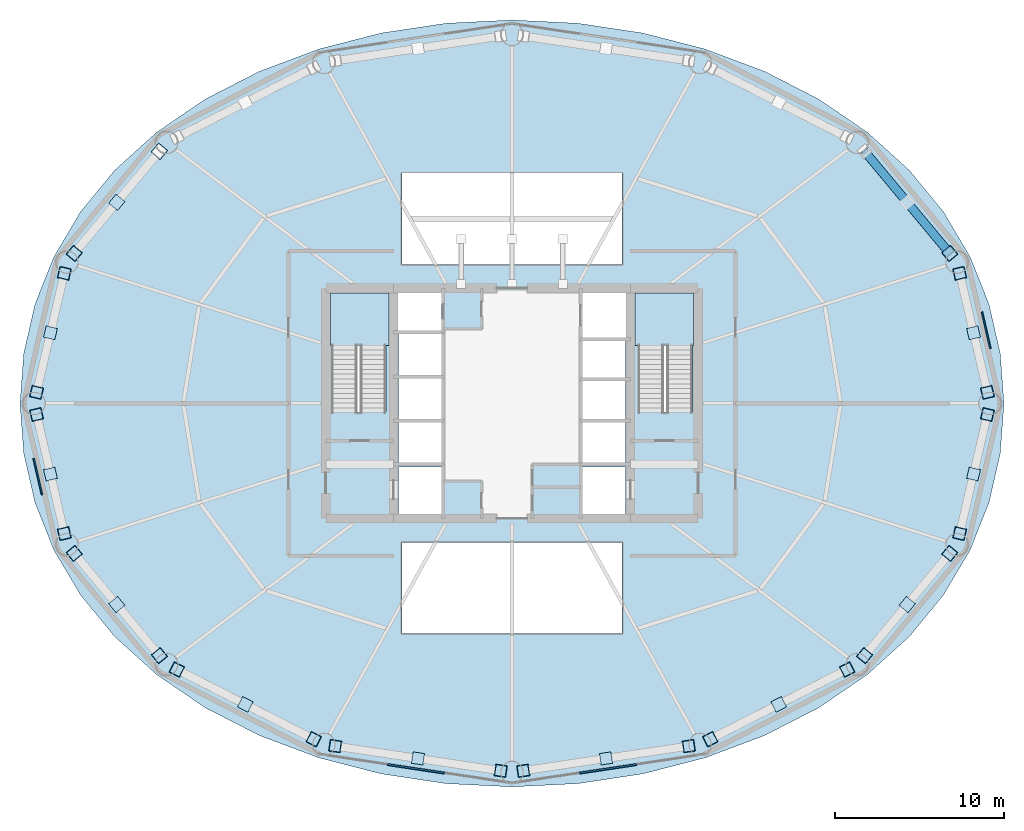
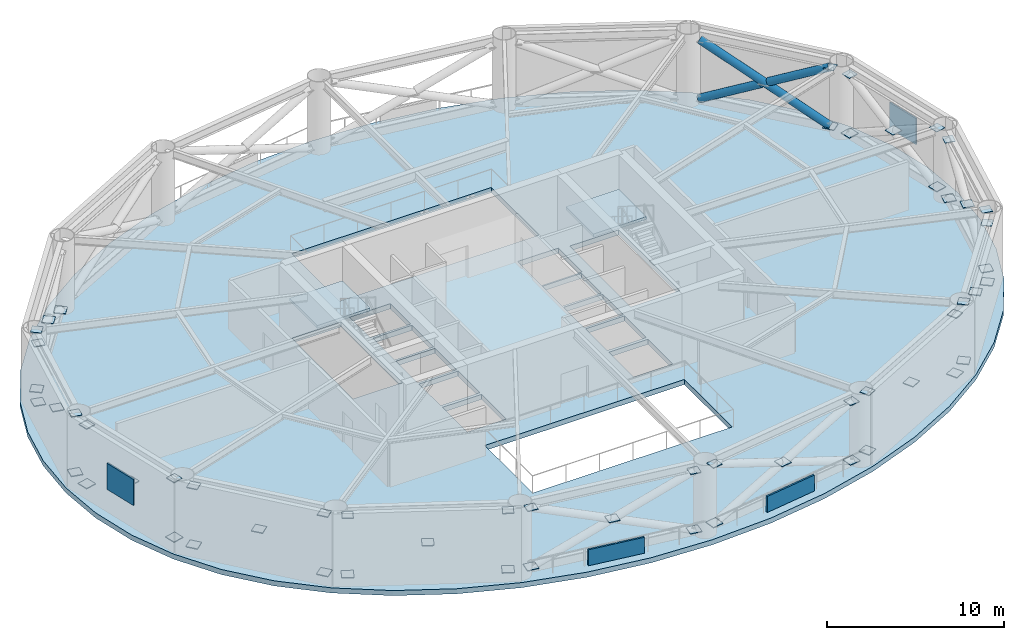
# One storey, part 3 of 7: 60 plates, 3 members, 3 slabs, 2 elements without a shape of their own.
"""IFC4 building model written with IfcOpenShell, lengths in metres."""

from ifc_helpers import new_model, si_unit, direction, frame, origin, origin_2d, place, context, subcontext, project, spatial, polyline, rectangle, hollow_circle, outline, extrude, material, layer, layer_set, material_profile, profile_set, type_object, element, aggregate, save


model = new_model("IFC4")

# Units and contexts
model_context = context("Model", 3, precision=1e-05, world=origin(), true_north=direction((0.0, 1.0)))
body_context = subcontext(model_context, "Body", "Model", "MODEL_VIEW")
ifc_project = project(units=[si_unit("LENGTHUNIT", "METRE"), si_unit("AREAUNIT", "SQUARE_METRE"), si_unit("VOLUMEUNIT", "CUBIC_METRE"), si_unit("PLANEANGLEUNIT", "RADIAN"), si_unit("MASSUNIT", "GRAM", prefix="KILO")], contexts=[model_context])

# Site, building, storey
site_placement = place(None, origin())
site = spatial("IfcSite", under=ifc_project, at=site_placement, CompositionType="ELEMENT")
building_placement = place(site_placement, origin())
building = spatial("IfcBuilding", under=site, at=building_placement, Name="Sarneth Arch Tower", CompositionType="ELEMENT")
storey_placement = place(building_placement, frame((0.0, 0.0, 139.800048828125)))
storey = spatial("IfcBuildingStorey", under=building, at=storey_placement, Name="L35", CompositionType="ELEMENT", Elevation=139.800048828125)

# Members
ifc_material_1 = material(Name="Steel S355", Category="steel")
ifc_material_profile = material_profile(ifc_material_1, hollow_circle(Radius=0.25390625, WallThickness=0.01611328125, at=origin_2d()), Name="CHS508x16")
ifc_profile_set = profile_set([ifc_material_profile], Name="Steel S355")
member_type = type_object("IfcMemberType", Name="MEM-BELT-DIAG2", PredefinedType="BRACE", material=ifc_profile_set)
member_1_placement = place(storey_placement, frame((73.859130859375, 50.861083984375, 0.349853515625), z_axis=(-0.568445844275, 0.682162607588, 0.459916839152), x_axis=(-0.768234015581, -0.640169116175, 0.0)))
element("IfcMember", 1, at=member_1_placement, inside=storey, type_object=member_type, Name="L35 Ring belt continuous diagonal A02", PredefinedType="BRACE", context=body_context, shape_type="SweptSolid", body=[
    extrude(hollow_circle(Radius=0.25390625, WallThickness=0.01611328125, at=origin_2d()), origin(), (0.0, 0.0, 1.0), 8.847412109375),
])
member_2_placement = place(storey_placement, frame((68.829833984375, 56.896484375, 0.349853515625), z_axis=(0.568441611408, -0.682153331163, 0.45993582944), x_axis=(0.768232078638, 0.640171440594, 0.0)))
element("IfcMember", 2, at=member_2_placement, inside=storey, type_object=member_type, Name="L35 Ring belt split diagonal B1-02", PredefinedType="BRACE", context=body_context, shape_type="SweptSolid", body=[
    extrude(hollow_circle(Radius=0.25390625, WallThickness=0.01611328125, at=origin_2d()), origin(), (0.0, 0.0, 1.0), 4.173828125),
])
member_3_placement = place(storey_placement, frame((71.486572265625, 53.708251953125, 2.49951171875), z_axis=(0.568456904031, -0.68217168294, 0.459889707707), x_axis=(0.768232078638, 0.640171440594, 0.0)))
element("IfcMember", 3, at=member_3_placement, inside=storey, type_object=member_type, Name="L35 Ring belt split diagonal B2-02", PredefinedType="BRACE", context=body_context, shape_type="SweptSolid", body=[
    extrude(hollow_circle(Radius=0.25390625, WallThickness=0.01611328125, at=origin_2d()), origin(), (0.0, 0.0, 1.0), 4.173583984375),
])

# Plates
ifc_material_2 = material(Name="Powder-coated Aluminium 6063-T6 stormproof acoustic louvre", Category="aluminium")
ifc_layer_1 = layer(ifc_material_2, 0.094970703125)
ifc_layer_set_1 = layer_set([ifc_layer_1], Name="Powder-coated Aluminium 6063-T6 stormproof acoustic louvre")
plate_type_1 = type_object("IfcPlateType", Name="LOUVRE-PLANT", PredefinedType="SHEET", material=ifc_layer_set_1)
for number, where, z_axis, x_axis, name in (
    (4, (76.001220703125, 46.32568359375, 1.625), (0.0, 0.0, 1.0), (-0.2256312381, 0.974212781888, 0.0), "L35 Mechanical louvre 01"),
    (5, (19.998779296875, 37.67431640625, 1.625), (0.0, 0.0, 1.0), (0.2256312381, -0.974212781888, 0.0), "L35 Mechanical louvre 09"),
):
    element("IfcPlate", number, at=place(storey_placement, frame(where, z_axis=z_axis, x_axis=x_axis)), inside=storey, type_object=plate_type_1, Name=name, PredefinedType="SHEET", context=body_context, shape_type="SweptSolid", body=[
        extrude(rectangle(XDim=2.199951171875, YDim=0.094970703125, at=origin_2d()), origin(), (0.0, 0.0, 1.0), 1.800048828125),
    ])
ifc_material_3 = material(Name="Aerodynamic Aluminium 6063-T6 wind-slot intake louvre", Category="aluminium")
ifc_layer_2 = layer(ifc_material_3, 0.110107421875)
ifc_layer_set_2 = layer_set([ifc_layer_2], Name="Aerodynamic Aluminium 6063-T6 wind-slot intake louvre")
plate_type_2 = type_object("IfcPlateType", Name="LOUVRE-TURBINE", PredefinedType="SHEET", material=ifc_layer_set_2)
for number, where, z_axis, x_axis, name in (
    (6, (42.324462890625, 20.423583984375, 0.0), (0.0, 0.0, 1.0), (0.988886498745, -0.148672433897, 0.0), "L35 Wind-slot aerodynamic intake louvre 12"),
    (7, (53.675537109375, 20.423583984375, 0.0), (0.0, 0.0, 1.0), (0.988886498745, 0.148672433897, 0.0), "L35 Wind-slot aerodynamic intake louvre 13"),
):
    element("IfcPlate", number, at=place(storey_placement, frame(where, z_axis=z_axis, x_axis=x_axis)), inside=storey, type_object=plate_type_2, Name=name, PredefinedType="SHEET", context=body_context, shape_type="SweptSolid", body=[
        extrude(rectangle(XDim=3.39990234375, YDim=0.110107421875, at=origin_2d()), origin(), (0.0, 0.0, 1.0), 1.10009765625),
    ])
ifc_material_4 = material(Name="Steel S355", Category="steel")
ifc_layer_3 = layer(ifc_material_4, 0.035888671875)
ifc_layer_set_3 = layer_set([ifc_layer_3], Name="Steel S355")
plate_type_3 = type_object("IfcPlateType", Name="PLT-GUSSET-30", PredefinedType="SHEET", material=ifc_layer_set_3)
plate_1_placement = place(storey_placement, frame((75.263916015625, 46.171142578125, 2.36669921875), z_axis=(0.0, 0.0, 1.0), x_axis=(-0.227161248969, 0.973857159427, 0.0)))
element("IfcPlate", 8, at=plate_1_placement, inside=storey, type_object=plate_type_3, Name="Steel end cap plate GP-1", PredefinedType="SHEET", context=body_context, shape_type="SweptSolid", body=[
    extrude(rectangle(XDim=0.679931640625, YDim=0.679931640625, at=origin_2d()), origin(), (0.0, 0.0, 1.0), 0.035888671875),
])
for number, where, z_axis, x_axis, name in (
    (9, (76.083251953125, 42.657470703125, 0.33203125), (0.0, 0.0, 1.0), (0.227161248969, -0.973857159427, 0.0), "Steel end cap plate GP-1"),
    (10, (74.444580078125, 49.68505859375, 0.33203125), (0.0, 0.0, 1.0), (-0.227161248969, 0.973857159427, 0.0), "Steel end cap plate GP-1"),
):
    element("IfcPlate", number, at=place(storey_placement, frame(where, z_axis=z_axis, x_axis=x_axis)), inside=storey, type_object=plate_type_3, Name=name, PredefinedType="SHEET", context=body_context, shape_type="SweptSolid", body=[
        extrude(rectangle(XDim=0.699951171875, YDim=0.699951171875, at=origin_2d()), origin(), (0.0, 0.0, 1.0), 0.035888671875),
    ])
for number, where, z_axis, x_axis, name in (
    (11, (76.083251953125, 42.657470703125, 4.40087890625), (0.0, 0.0, 1.0), (0.227161248969, -0.973857159427, 0.0), "Steel end cap plate GP-1"),
    (12, (74.444580078125, 49.68505859375, 4.40087890625), (0.0, 0.0, 1.0), (-0.227161248969, 0.973857159427, 0.0), "Steel end cap plate GP-1"),
):
    element("IfcPlate", number, at=place(storey_placement, frame(where, z_axis=z_axis, x_axis=x_axis)), inside=storey, type_object=plate_type_3, Name=name, PredefinedType="SHEET", context=body_context, shape_type="SweptSolid", body=[
        extrude(rectangle(XDim=0.6298828125, YDim=0.6298828125, at=origin_2d()), origin(), (0.0, 0.0, 1.0), 0.035888671875),
    ])
plate_2_placement = place(storey_placement, frame((73.859130859375, 50.861083984375, 0.33203125), z_axis=(0.0, 0.0, 1.0), x_axis=(0.640109699485, -0.768283523594, 0.0)))
element("IfcPlate", 13, at=plate_2_placement, inside=storey, type_object=plate_type_3, Name="Steel end cap plate GP-1", PredefinedType="SHEET", context=body_context, shape_type="SweptSolid", body=[
    extrude(rectangle(XDim=0.699951171875, YDim=0.699951171875, at=origin_2d()), origin(), (0.0, 0.0, 1.0), 0.035888671875),
])
plate_3_placement = place(storey_placement, frame((73.859130859375, 50.861083984375, 4.40087890625), z_axis=(0.0, 0.0, 1.0), x_axis=(0.640109699485, -0.768283523594, 0.0)))
element("IfcPlate", 14, at=plate_3_placement, inside=storey, type_object=plate_type_3, Name="Steel end cap plate GP-1", PredefinedType="SHEET", context=body_context, shape_type="SweptSolid", body=[
    extrude(rectangle(XDim=0.6298828125, YDim=0.6298828125, at=origin_2d()), origin(), (0.0, 0.0, 1.0), 0.035888671875),
])
plate_4_placement = place(storey_placement, frame((24.655517578125, 53.878662109375, 2.36669921875), z_axis=(0.0, 0.0, 1.0), x_axis=(-0.640109699485, -0.768283523594, 0.0)))
element("IfcPlate", 15, at=plate_4_placement, inside=storey, type_object=plate_type_3, Name="Steel end cap plate GP-1", PredefinedType="SHEET", context=body_context, shape_type="SweptSolid", body=[
    extrude(rectangle(XDim=0.679931640625, YDim=0.679931640625, at=origin_2d()), origin(), (0.0, 0.0, 1.0), 0.035888671875),
])
for number, where, z_axis, x_axis, name in (
    (16, (27.170166015625, 56.896484375, 0.33203125), (0.0, 0.0, 1.0), (0.640109699485, 0.768283523594, 0.0), "Steel end cap plate GP-1"),
    (17, (22.140869140625, 50.861083984375, 0.33203125), (0.0, 0.0, 1.0), (-0.640109699485, -0.768283523594, 0.0), "Steel end cap plate GP-1"),
):
    element("IfcPlate", number, at=place(storey_placement, frame(where, z_axis=z_axis, x_axis=x_axis)), inside=storey, type_object=plate_type_3, Name=name, PredefinedType="SHEET", context=body_context, shape_type="SweptSolid", body=[
        extrude(rectangle(XDim=0.699951171875, YDim=0.699951171875, at=origin_2d()), origin(), (0.0, 0.0, 1.0), 0.035888671875),
    ])
plate_5_placement = place(storey_placement, frame((22.140869140625, 50.861083984375, 4.40087890625), z_axis=(0.0, 0.0, 1.0), x_axis=(-0.640109699485, -0.768283523594, 0.0)))
element("IfcPlate", 18, at=plate_5_placement, inside=storey, type_object=plate_type_3, Name="Steel end cap plate GP-1", PredefinedType="SHEET", context=body_context, shape_type="SweptSolid", body=[
    extrude(rectangle(XDim=0.6298828125, YDim=0.6298828125, at=origin_2d()), origin(), (0.0, 0.0, 1.0), 0.035888671875),
])
plate_6_placement = place(storey_placement, frame((20.736083984375, 46.171142578125, 2.36669921875), z_axis=(0.0, 0.0, 1.0), x_axis=(-0.227161248969, -0.973857159427, 0.0)))
element("IfcPlate", 19, at=plate_6_placement, inside=storey, type_object=plate_type_3, Name="Steel end cap plate GP-1", PredefinedType="SHEET", context=body_context, shape_type="SweptSolid", body=[
    extrude(rectangle(XDim=0.679931640625, YDim=0.679931640625, at=origin_2d()), origin(), (0.0, 0.0, 1.0), 0.035888671875),
])
for number, where, z_axis, x_axis, name in (
    (20, (21.555419921875, 49.68505859375, 0.33203125), (0.0, 0.0, 1.0), (0.227161248969, 0.973857159427, 0.0), "Steel end cap plate GP-1"),
    (21, (19.916748046875, 42.657470703125, 0.33203125), (0.0, 0.0, 1.0), (-0.227161248969, -0.973857159427, 0.0), "Steel end cap plate GP-1"),
):
    element("IfcPlate", number, at=place(storey_placement, frame(where, z_axis=z_axis, x_axis=x_axis)), inside=storey, type_object=plate_type_3, Name=name, PredefinedType="SHEET", context=body_context, shape_type="SweptSolid", body=[
        extrude(rectangle(XDim=0.699951171875, YDim=0.699951171875, at=origin_2d()), origin(), (0.0, 0.0, 1.0), 0.035888671875),
    ])
for number, where, z_axis, x_axis, name in (
    (22, (21.555419921875, 49.68505859375, 4.40087890625), (0.0, 0.0, 1.0), (0.227161248969, 0.973857159427, 0.0), "Steel end cap plate GP-1"),
    (23, (19.916748046875, 42.657470703125, 4.40087890625), (0.0, 0.0, 1.0), (-0.227161248969, -0.973857159427, 0.0), "Steel end cap plate GP-1"),
):
    element("IfcPlate", number, at=place(storey_placement, frame(where, z_axis=z_axis, x_axis=x_axis)), inside=storey, type_object=plate_type_3, Name=name, PredefinedType="SHEET", context=body_context, shape_type="SweptSolid", body=[
        extrude(rectangle(XDim=0.6298828125, YDim=0.6298828125, at=origin_2d()), origin(), (0.0, 0.0, 1.0), 0.035888671875),
    ])
plate_7_placement = place(storey_placement, frame((20.736083984375, 37.828857421875, 2.36669921875), z_axis=(0.0, 0.0, 1.0), x_axis=(0.227161248969, -0.973857159427, 0.0)))
element("IfcPlate", 24, at=plate_7_placement, inside=storey, type_object=plate_type_3, Name="Steel end cap plate GP-1", PredefinedType="SHEET", context=body_context, shape_type="SweptSolid", body=[
    extrude(rectangle(XDim=0.679931640625, YDim=0.679931640625, at=origin_2d()), origin(), (0.0, 0.0, 1.0), 0.035888671875),
])
for number, where, z_axis, x_axis, name in (
    (25, (19.916748046875, 41.342529296875, 0.33203125), (0.0, 0.0, 1.0), (-0.227161248969, 0.973857159427, 0.0), "Steel end cap plate GP-1"),
    (26, (21.555419921875, 34.31494140625, 0.33203125), (0.0, 0.0, 1.0), (0.227161248969, -0.973857159427, 0.0), "Steel end cap plate GP-1"),
):
    element("IfcPlate", number, at=place(storey_placement, frame(where, z_axis=z_axis, x_axis=x_axis)), inside=storey, type_object=plate_type_3, Name=name, PredefinedType="SHEET", context=body_context, shape_type="SweptSolid", body=[
        extrude(rectangle(XDim=0.699951171875, YDim=0.699951171875, at=origin_2d()), origin(), (0.0, 0.0, 1.0), 0.035888671875),
    ])
for number, where, z_axis, x_axis, name in (
    (27, (19.916748046875, 41.342529296875, 4.40087890625), (0.0, 0.0, 1.0), (-0.227161248969, 0.973857159427, 0.0), "Steel end cap plate GP-1"),
    (28, (21.555419921875, 34.31494140625, 4.40087890625), (0.0, 0.0, 1.0), (0.227161248969, -0.973857159427, 0.0), "Steel end cap plate GP-1"),
):
    element("IfcPlate", number, at=place(storey_placement, frame(where, z_axis=z_axis, x_axis=x_axis)), inside=storey, type_object=plate_type_3, Name=name, PredefinedType="SHEET", context=body_context, shape_type="SweptSolid", body=[
        extrude(rectangle(XDim=0.6298828125, YDim=0.6298828125, at=origin_2d()), origin(), (0.0, 0.0, 1.0), 0.035888671875),
    ])
plate_8_placement = place(storey_placement, frame((24.655517578125, 30.121337890625, 2.36669921875), z_axis=(0.0, 0.0, 1.0), x_axis=(0.640109699485, -0.768283523594, 0.0)))
element("IfcPlate", 29, at=plate_8_placement, inside=storey, type_object=plate_type_3, Name="Steel end cap plate GP-1", PredefinedType="SHEET", context=body_context, shape_type="SweptSolid", body=[
    extrude(rectangle(XDim=0.679931640625, YDim=0.679931640625, at=origin_2d()), origin(), (0.0, 0.0, 1.0), 0.035888671875),
])
for number, where, z_axis, x_axis, name in (
    (30, (22.140869140625, 33.138916015625, 0.33203125), (0.0, 0.0, 1.0), (-0.640109699485, 0.768283523594, 0.0), "Steel end cap plate GP-1"),
    (31, (27.170166015625, 27.103515625, 0.33203125), (0.0, 0.0, 1.0), (0.640109699485, -0.768283523594, 0.0), "Steel end cap plate GP-1"),
):
    element("IfcPlate", number, at=place(storey_placement, frame(where, z_axis=z_axis, x_axis=x_axis)), inside=storey, type_object=plate_type_3, Name=name, PredefinedType="SHEET", context=body_context, shape_type="SweptSolid", body=[
        extrude(rectangle(XDim=0.699951171875, YDim=0.699951171875, at=origin_2d()), origin(), (0.0, 0.0, 1.0), 0.035888671875),
    ])
for number, where, z_axis, x_axis, name in (
    (32, (22.140869140625, 33.138916015625, 4.40087890625), (0.0, 0.0, 1.0), (-0.640109699485, 0.768283523594, 0.0), "Steel end cap plate GP-1"),
    (33, (27.170166015625, 27.103515625, 4.40087890625), (0.0, 0.0, 1.0), (0.640109699485, -0.768283523594, 0.0), "Steel end cap plate GP-1"),
):
    element("IfcPlate", number, at=place(storey_placement, frame(where, z_axis=z_axis, x_axis=x_axis)), inside=storey, type_object=plate_type_3, Name=name, PredefinedType="SHEET", context=body_context, shape_type="SweptSolid", body=[
        extrude(rectangle(XDim=0.6298828125, YDim=0.6298828125, at=origin_2d()), origin(), (0.0, 0.0, 1.0), 0.035888671875),
    ])
plate_9_placement = place(storey_placement, frame((32.24609375, 24.22216796875, 2.36669921875), z_axis=(0.0, 0.0, 1.0), x_axis=(0.89124411091, -0.453523907604, 0.0)))
element("IfcPlate", 34, at=plate_9_placement, inside=storey, type_object=plate_type_3, Name="Steel end cap plate GP-1", PredefinedType="SHEET", context=body_context, shape_type="SweptSolid", body=[
    extrude(rectangle(XDim=0.679931640625, YDim=0.679931640625, at=origin_2d()), origin(), (0.0, 0.0, 1.0), 0.035888671875),
])
for number, where, z_axis, x_axis, name in (
    (35, (28.203857421875, 26.279052734375, 0.33203125), (0.0, 0.0, 1.0), (-0.89124411091, 0.453523907604, 0.0), "Steel end cap plate GP-1"),
    (36, (36.2880859375, 22.16552734375, 0.33203125), (0.0, 0.0, 1.0), (0.89124411091, -0.453523907604, 0.0), "Steel end cap plate GP-1"),
):
    element("IfcPlate", number, at=place(storey_placement, frame(where, z_axis=z_axis, x_axis=x_axis)), inside=storey, type_object=plate_type_3, Name=name, PredefinedType="SHEET", context=body_context, shape_type="SweptSolid", body=[
        extrude(rectangle(XDim=0.699951171875, YDim=0.699951171875, at=origin_2d()), origin(), (0.0, 0.0, 1.0), 0.035888671875),
    ])
for number, where, z_axis, x_axis, name in (
    (37, (28.203857421875, 26.279052734375, 4.40087890625), (0.0, 0.0, 1.0), (-0.89124411091, 0.453523907604, 0.0), "Steel end cap plate GP-1"),
    (38, (36.2880859375, 22.16552734375, 4.40087890625), (0.0, 0.0, 1.0), (0.89124411091, -0.453523907604, 0.0), "Steel end cap plate GP-1"),
):
    element("IfcPlate", number, at=place(storey_placement, frame(where, z_axis=z_axis, x_axis=x_axis)), inside=storey, type_object=plate_type_3, Name=name, PredefinedType="SHEET", context=body_context, shape_type="SweptSolid", body=[
        extrude(rectangle(XDim=0.6298828125, YDim=0.6298828125, at=origin_2d()), origin(), (0.0, 0.0, 1.0), 0.035888671875),
    ])
plate_10_placement = place(storey_placement, frame((42.44482421875, 21.02978515625, 2.36669921875), z_axis=(0.0, 0.0, 1.0), x_axis=(0.989041645907, -0.147636793048, 0.0)))
element("IfcPlate", 39, at=plate_10_placement, inside=storey, type_object=plate_type_3, Name="Steel end cap plate GP-1", PredefinedType="SHEET", context=body_context, shape_type="SweptSolid", body=[
    extrude(rectangle(XDim=0.679931640625, YDim=0.679931640625, at=origin_2d()), origin(), (0.0, 0.0, 1.0), 0.035888671875),
])
for number, where, z_axis, x_axis, name in (
    (40, (37.557373046875, 21.759765625, 0.33203125), (0.0, 0.0, 1.0), (-0.989041645907, 0.147636793048, 0.0), "Steel end cap plate GP-1"),
    (41, (47.33251953125, 20.2998046875, 0.33203125), (0.0, 0.0, 1.0), (0.989041645907, -0.147636793048, 0.0), "Steel end cap plate GP-1"),
):
    element("IfcPlate", number, at=place(storey_placement, frame(where, z_axis=z_axis, x_axis=x_axis)), inside=storey, type_object=plate_type_3, Name=name, PredefinedType="SHEET", context=body_context, shape_type="SweptSolid", body=[
        extrude(rectangle(XDim=0.699951171875, YDim=0.699951171875, at=origin_2d()), origin(), (0.0, 0.0, 1.0), 0.035888671875),
    ])
for number, where, z_axis, x_axis, name in (
    (42, (37.557373046875, 21.759765625, 4.40087890625), (0.0, 0.0, 1.0), (-0.989041645907, 0.147636793048, 0.0), "Steel end cap plate GP-1"),
    (43, (47.33251953125, 20.2998046875, 4.40087890625), (0.0, 0.0, 1.0), (0.989041645907, -0.147636793048, 0.0), "Steel end cap plate GP-1"),
):
    element("IfcPlate", number, at=place(storey_placement, frame(where, z_axis=z_axis, x_axis=x_axis)), inside=storey, type_object=plate_type_3, Name=name, PredefinedType="SHEET", context=body_context, shape_type="SweptSolid", body=[
        extrude(rectangle(XDim=0.6298828125, YDim=0.6298828125, at=origin_2d()), origin(), (0.0, 0.0, 1.0), 0.035888671875),
    ])
plate_11_placement = place(storey_placement, frame((53.55517578125, 21.02978515625, 2.36669921875), z_axis=(0.0, 0.0, 1.0), x_axis=(0.989041645907, 0.147636793048, 0.0)))
element("IfcPlate", 44, at=plate_11_placement, inside=storey, type_object=plate_type_3, Name="Steel end cap plate GP-1", PredefinedType="SHEET", context=body_context, shape_type="SweptSolid", body=[
    extrude(rectangle(XDim=0.679931640625, YDim=0.679931640625, at=origin_2d()), origin(), (0.0, 0.0, 1.0), 0.035888671875),
])
for number, where, z_axis, x_axis, name in (
    (45, (48.66748046875, 20.2998046875, 0.33203125), (0.0, 0.0, 1.0), (-0.989041645907, -0.147636793048, 0.0), "Steel end cap plate GP-1"),
    (46, (58.442626953125, 21.759765625, 0.33203125), (0.0, 0.0, 1.0), (0.989041645907, 0.147636793048, 0.0), "Steel end cap plate GP-1"),
):
    element("IfcPlate", number, at=place(storey_placement, frame(where, z_axis=z_axis, x_axis=x_axis)), inside=storey, type_object=plate_type_3, Name=name, PredefinedType="SHEET", context=body_context, shape_type="SweptSolid", body=[
        extrude(rectangle(XDim=0.699951171875, YDim=0.699951171875, at=origin_2d()), origin(), (0.0, 0.0, 1.0), 0.035888671875),
    ])
for number, where, z_axis, x_axis, name in (
    (47, (48.66748046875, 20.2998046875, 4.40087890625), (0.0, 0.0, 1.0), (-0.989041645907, -0.147636793048, 0.0), "Steel end cap plate GP-1"),
    (48, (58.442626953125, 21.759765625, 4.40087890625), (0.0, 0.0, 1.0), (0.989041645907, 0.147636793048, 0.0), "Steel end cap plate GP-1"),
):
    element("IfcPlate", number, at=place(storey_placement, frame(where, z_axis=z_axis, x_axis=x_axis)), inside=storey, type_object=plate_type_3, Name=name, PredefinedType="SHEET", context=body_context, shape_type="SweptSolid", body=[
        extrude(rectangle(XDim=0.6298828125, YDim=0.6298828125, at=origin_2d()), origin(), (0.0, 0.0, 1.0), 0.035888671875),
    ])
plate_12_placement = place(storey_placement, frame((63.75390625, 24.22216796875, 2.36669921875), z_axis=(0.0, 0.0, 1.0), x_axis=(0.89124411091, 0.453523907604, 0.0)))
element("IfcPlate", 49, at=plate_12_placement, inside=storey, type_object=plate_type_3, Name="Steel end cap plate GP-1", PredefinedType="SHEET", context=body_context, shape_type="SweptSolid", body=[
    extrude(rectangle(XDim=0.679931640625, YDim=0.679931640625, at=origin_2d()), origin(), (0.0, 0.0, 1.0), 0.035888671875),
])
for number, where, z_axis, x_axis, name in (
    (50, (59.7119140625, 22.16552734375, 0.33203125), (0.0, 0.0, 1.0), (-0.89124411091, -0.453523907604, 0.0), "Steel end cap plate GP-1"),
    (51, (67.796142578125, 26.279052734375, 0.33203125), (0.0, 0.0, 1.0), (0.89124411091, 0.453523907604, 0.0), "Steel end cap plate GP-1"),
):
    element("IfcPlate", number, at=place(storey_placement, frame(where, z_axis=z_axis, x_axis=x_axis)), inside=storey, type_object=plate_type_3, Name=name, PredefinedType="SHEET", context=body_context, shape_type="SweptSolid", body=[
        extrude(rectangle(XDim=0.699951171875, YDim=0.699951171875, at=origin_2d()), origin(), (0.0, 0.0, 1.0), 0.035888671875),
    ])
for number, where, z_axis, x_axis, name in (
    (52, (59.7119140625, 22.16552734375, 4.40087890625), (0.0, 0.0, 1.0), (-0.89124411091, -0.453523907604, 0.0), "Steel end cap plate GP-1"),
    (53, (67.796142578125, 26.279052734375, 4.40087890625), (0.0, 0.0, 1.0), (0.89124411091, 0.453523907604, 0.0), "Steel end cap plate GP-1"),
):
    element("IfcPlate", number, at=place(storey_placement, frame(where, z_axis=z_axis, x_axis=x_axis)), inside=storey, type_object=plate_type_3, Name=name, PredefinedType="SHEET", context=body_context, shape_type="SweptSolid", body=[
        extrude(rectangle(XDim=0.6298828125, YDim=0.6298828125, at=origin_2d()), origin(), (0.0, 0.0, 1.0), 0.035888671875),
    ])
plate_13_placement = place(storey_placement, frame((71.344482421875, 30.121337890625, 2.36669921875), z_axis=(0.0, 0.0, 1.0), x_axis=(0.640109699485, 0.768283523594, 0.0)))
element("IfcPlate", 54, at=plate_13_placement, inside=storey, type_object=plate_type_3, Name="Steel end cap plate GP-1", PredefinedType="SHEET", context=body_context, shape_type="SweptSolid", body=[
    extrude(rectangle(XDim=0.679931640625, YDim=0.679931640625, at=origin_2d()), origin(), (0.0, 0.0, 1.0), 0.035888671875),
])
for number, where, z_axis, x_axis, name in (
    (55, (68.829833984375, 27.103515625, 0.33203125), (0.0, 0.0, 1.0), (-0.640109699485, -0.768283523594, 0.0), "Steel end cap plate GP-1"),
    (56, (73.859130859375, 33.138916015625, 0.33203125), (0.0, 0.0, 1.0), (0.640109699485, 0.768283523594, 0.0), "Steel end cap plate GP-1"),
):
    element("IfcPlate", number, at=place(storey_placement, frame(where, z_axis=z_axis, x_axis=x_axis)), inside=storey, type_object=plate_type_3, Name=name, PredefinedType="SHEET", context=body_context, shape_type="SweptSolid", body=[
        extrude(rectangle(XDim=0.699951171875, YDim=0.699951171875, at=origin_2d()), origin(), (0.0, 0.0, 1.0), 0.035888671875),
    ])
for number, where, z_axis, x_axis, name in (
    (57, (68.829833984375, 27.103515625, 4.40087890625), (0.0, 0.0, 1.0), (-0.640109699485, -0.768283523594, 0.0), "Steel end cap plate GP-1"),
    (58, (73.859130859375, 33.138916015625, 4.40087890625), (0.0, 0.0, 1.0), (0.640109699485, 0.768283523594, 0.0), "Steel end cap plate GP-1"),
):
    element("IfcPlate", number, at=place(storey_placement, frame(where, z_axis=z_axis, x_axis=x_axis)), inside=storey, type_object=plate_type_3, Name=name, PredefinedType="SHEET", context=body_context, shape_type="SweptSolid", body=[
        extrude(rectangle(XDim=0.6298828125, YDim=0.6298828125, at=origin_2d()), origin(), (0.0, 0.0, 1.0), 0.035888671875),
    ])
plate_14_placement = place(storey_placement, frame((75.263916015625, 37.828857421875, 2.36669921875), z_axis=(0.0, 0.0, 1.0), x_axis=(0.227161248969, 0.973857159427, 0.0)))
element("IfcPlate", 59, at=plate_14_placement, inside=storey, type_object=plate_type_3, Name="Steel end cap plate GP-1", PredefinedType="SHEET", context=body_context, shape_type="SweptSolid", body=[
    extrude(rectangle(XDim=0.679931640625, YDim=0.679931640625, at=origin_2d()), origin(), (0.0, 0.0, 1.0), 0.035888671875),
])
for number, where, z_axis, x_axis, name in (
    (60, (74.444580078125, 34.31494140625, 0.33203125), (0.0, 0.0, 1.0), (-0.227161248969, -0.973857159427, 0.0), "Steel end cap plate GP-1"),
    (61, (76.083251953125, 41.342529296875, 0.33203125), (0.0, 0.0, 1.0), (0.227161248969, 0.973857159427, 0.0), "Steel end cap plate GP-1"),
):
    element("IfcPlate", number, at=place(storey_placement, frame(where, z_axis=z_axis, x_axis=x_axis)), inside=storey, type_object=plate_type_3, Name=name, PredefinedType="SHEET", context=body_context, shape_type="SweptSolid", body=[
        extrude(rectangle(XDim=0.699951171875, YDim=0.699951171875, at=origin_2d()), origin(), (0.0, 0.0, 1.0), 0.035888671875),
    ])
for number, where, z_axis, x_axis, name in (
    (62, (74.444580078125, 34.31494140625, 4.40087890625), (0.0, 0.0, 1.0), (-0.227161248969, -0.973857159427, 0.0), "Steel end cap plate GP-1"),
    (63, (76.083251953125, 41.342529296875, 4.40087890625), (0.0, 0.0, 1.0), (0.227161248969, 0.973857159427, 0.0), "Steel end cap plate GP-1"),
):
    element("IfcPlate", number, at=place(storey_placement, frame(where, z_axis=z_axis, x_axis=x_axis)), inside=storey, type_object=plate_type_3, Name=name, PredefinedType="SHEET", context=body_context, shape_type="SweptSolid", body=[
        extrude(rectangle(XDim=0.6298828125, YDim=0.6298828125, at=origin_2d()), origin(), (0.0, 0.0, 1.0), 0.035888671875),
    ])

# Stair, slab
ifc_material_5 = material(Name="Concrete C50/60", Category="concrete")
stair_type = type_object("IfcStairType", Name="STAIR-CORE-RC", PredefinedType="HALF_TURN_STAIR", material=ifc_material_5)
stair_1_placement = place(storey_placement, origin())
stair_1 = element("IfcStair", 64, at=stair_1_placement, inside=storey, type_object=stair_type, Name="L35 Core Exit Stair 1", PredefinedType="HALF_TURN_STAIR")
ifc_material_6 = material(Name="Concrete C50/60", Category="concrete")
ifc_layer_4 = layer(ifc_material_6, 0.199951171875)
ifc_layer_set_4 = layer_set([ifc_layer_4], Name="Concrete C50/60")
slab_type_1 = type_object("IfcSlabType", Name="SLAB-LANDING-200", PredefinedType="LANDING", material=ifc_layer_set_4)
slab_1_placement = place(storey_placement, frame((0.0, 0.0, 2.5)))
slab_1 = element("IfcSlab", 65, at=slab_1_placement, type_object=slab_type_1, Name="ST-1 landing 1", PredefinedType="LANDING", context=body_context, shape_type="SweptSolid", body=[
    extrude(outline(polyline([(37.27490234375, 45.409912109375), (40.72509765625, 45.409912109375), (40.72509765625, 48.52490234375), (37.27490234375, 48.52490234375), (37.27490234375, 45.409912109375)])), origin(), (0.0, 0.0, 1.0), 0.199951171875),
])
aggregate(stair_1, [slab_1])

stair_2_placement = place(storey_placement, origin())
stair_2 = element("IfcStair", 66, at=stair_2_placement, inside=storey, type_object=stair_type, Name="L35 Core Exit Stair 2", PredefinedType="HALF_TURN_STAIR")
slab_2_placement = place(storey_placement, frame((0.0, 0.0, 2.5)))
slab_2 = element("IfcSlab", 67, at=slab_2_placement, type_object=slab_type_1, Name="ST-2 landing 1", PredefinedType="LANDING", context=body_context, shape_type="SweptSolid", body=[
    extrude(outline(polyline([(55.27490234375, 45.409912109375), (58.72509765625, 45.409912109375), (58.72509765625, 48.52490234375), (55.27490234375, 48.52490234375), (55.27490234375, 45.409912109375)])), origin(), (0.0, 0.0, 1.0), 0.199951171875),
])
aggregate(stair_2, [slab_2])

# Slab
ifc_material_7 = material(Name="Concrete C60/75", Category="concrete")
ifc_layer_5 = layer(ifc_material_7, 0.35009765625)
ifc_layer_set_5 = layer_set([ifc_layer_5], Name="Concrete C60/75")
slab_type_2 = type_object("IfcSlabType", Name="SLAB-XFER-350", PredefinedType="FLOOR", material=ifc_layer_set_5)
slab_3_placement = place(storey_placement, frame((0.0, 0.0, -0.35009765625)))
element("IfcSlab", 68, at=slab_3_placement, inside=storey, type_object=slab_type_2, Name="L35 Elliptical floor slab", PredefinedType="FLOOR", context=body_context, shape_type="SweptSolid", body=[
    extrude(outline(polyline([(77.062744140625, 42.0), (76.84228515625, 44.956298828125), (76.17724609375, 47.8623046875), (75.060546875, 50.667724609375), (73.486328125, 53.324951171875), (71.458251953125, 55.788330078125), (68.994384765625, 58.015869140625), (66.132080078125, 59.969482421875), (62.923828125, 61.615478515625), (59.435302734375, 62.92578125), (55.73779296875, 63.878173828125), (51.902587890625, 64.456298828125), (48.0, 64.64990234375), (44.097412109375, 64.456298828125), (40.26220703125, 63.878173828125), (36.564697265625, 62.92578125), (33.076171875, 61.615478515625), (29.867919921875, 59.969482421875), (27.005615234375, 58.015869140625), (24.541748046875, 55.788330078125), (22.513671875, 53.324951171875), (20.939453125, 50.667724609375), (19.82275390625, 47.8623046875), (19.15771484375, 44.956298828125), (18.937255859375, 42.0), (19.15771484375, 39.043701171875), (19.82275390625, 36.1376953125), (20.939453125, 33.332275390625), (22.513671875, 30.675048828125), (24.541748046875, 28.211669921875), (27.005615234375, 25.984130859375), (29.867919921875, 24.030517578125), (33.076171875, 22.384521484375), (36.564697265625, 21.07421875), (40.26220703125, 20.121826171875), (44.097412109375, 19.543701171875), (48.0, 19.35009765625), (51.902587890625, 19.543701171875), (55.73779296875, 20.121826171875), (59.435302734375, 21.07421875), (62.923828125, 22.384521484375), (66.132080078125, 24.030517578125), (68.994384765625, 25.984130859375), (71.458251953125, 28.211669921875), (73.486328125, 30.675048828125), (75.060546875, 33.332275390625), (76.17724609375, 36.1376953125), (76.84228515625, 39.043701171875), (77.062744140625, 42.0)]), holes=[polyline([(37.35009765625, 41.489990234375), (40.550048828125, 41.489990234375), (40.550048828125, 48.39990234375), (37.35009765625, 48.39990234375), (37.35009765625, 41.489990234375)]), polyline([(55.449951171875, 41.489990234375), (58.64990234375, 41.489990234375), (58.64990234375, 48.39990234375), (55.449951171875, 48.39990234375), (55.449951171875, 41.489990234375)]), polyline([(41.199951171875, 46.25), (43.85009765625, 46.25), (43.85009765625, 48.550048828125), (41.199951171875, 48.550048828125), (41.199951171875, 46.25)]), polyline([(41.300048828125, 35.449951171875), (43.85009765625, 35.449951171875), (43.85009765625, 38.25), (41.300048828125, 38.25), (41.300048828125, 35.449951171875)]), polyline([(52.14990234375, 35.449951171875), (54.699951171875, 35.449951171875), (54.699951171875, 38.25), (52.14990234375, 38.25), (52.14990234375, 35.449951171875)]), polyline([(52.14990234375, 45.85009765625), (54.800048828125, 45.85009765625), (54.800048828125, 48.550048828125), (52.14990234375, 48.550048828125), (52.14990234375, 45.85009765625)]), polyline([(41.300048828125, 38.449951171875), (43.85009765625, 38.449951171875), (43.85009765625, 40.89990234375), (41.300048828125, 40.89990234375), (41.300048828125, 38.449951171875)]), polyline([(41.300048828125, 41.050048828125), (43.85009765625, 41.050048828125), (43.85009765625, 43.5), (41.300048828125, 43.5), (41.300048828125, 41.050048828125)]), polyline([(41.300048828125, 43.64990234375), (43.85009765625, 43.64990234375), (43.85009765625, 46.10009765625), (41.300048828125, 46.10009765625), (41.300048828125, 43.64990234375)]), polyline([(52.14990234375, 38.449951171875), (54.699951171875, 38.449951171875), (54.699951171875, 40.89990234375), (52.14990234375, 40.89990234375), (52.14990234375, 38.449951171875)]), polyline([(52.14990234375, 41.050048828125), (54.699951171875, 41.050048828125), (54.699951171875, 43.35009765625), (52.14990234375, 43.35009765625), (52.14990234375, 41.050048828125)]), polyline([(52.14990234375, 43.5), (54.699951171875, 43.5), (54.699951171875, 45.75), (52.14990234375, 45.75), (52.14990234375, 43.5)]), polyline([(41.5, 50.199951171875), (54.5, 50.199951171875), (54.5, 55.60009765625), (41.5, 55.60009765625), (41.5, 50.199951171875)]), polyline([(41.5, 28.39990234375), (54.5, 28.39990234375), (54.5, 33.800048828125), (41.5, 33.800048828125), (41.5, 28.39990234375)])]), origin(), (0.0, 0.0, 1.0), 0.35009765625),
])

save(model, "model.ifc")
